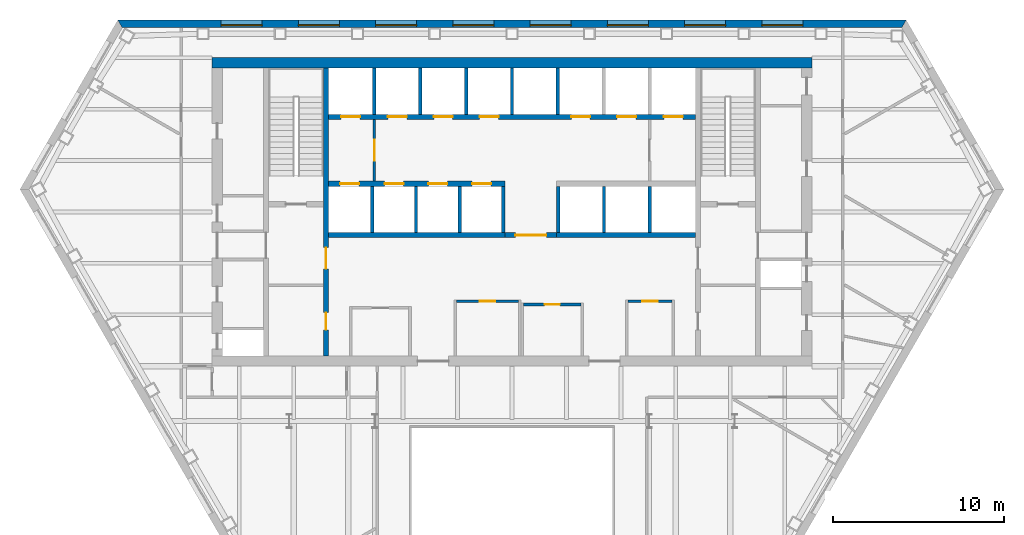
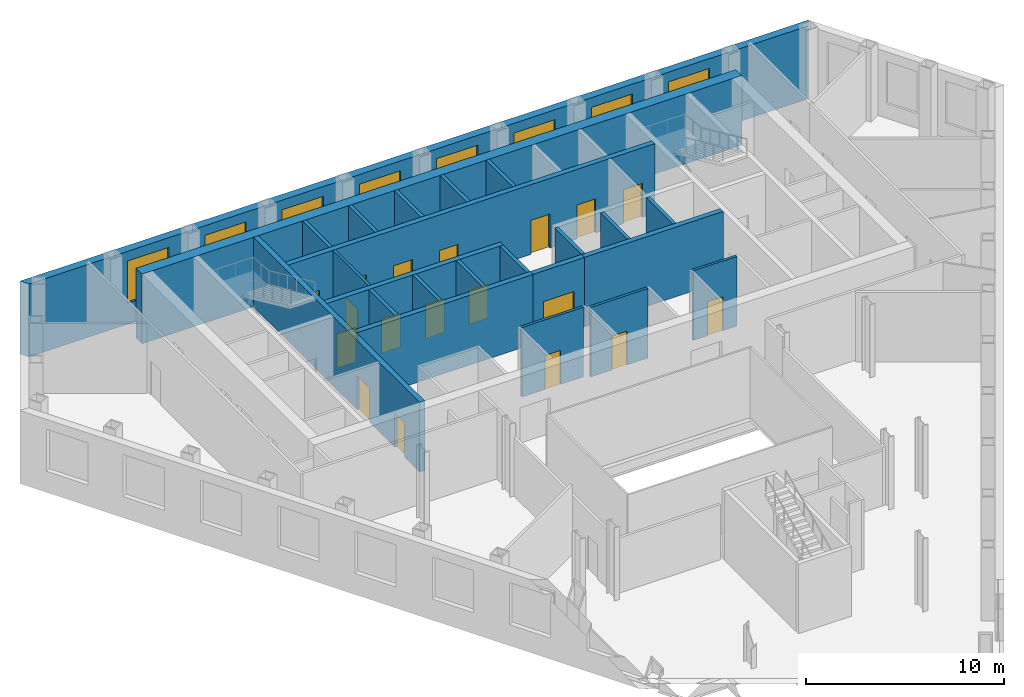
# One storey, part 6 of 10: 24 walls, 18 doors, 8 windows, 26 openings.
"""IFC4 building model written with IfcOpenShell, lengths in metres."""

import ifcopenshell
import ifcopenshell.guid

model = None  # the IFC model being written
_history = None  # IfcOwnerHistory: only IFC2X3 demands one
_inside = {}  # id of a spatial element -> (the spatial element, [elements in it])
_under = {}  # id of a project, library or spatial element -> (it, [spatial elements below it])
_declared = {}  # id of a project -> (the project, [libraries it declares])
_typed = {}  # id of a type object -> (the type object, [elements of that type])
_made_of = {}  # id of a material, layer set ... -> (it, [elements and type objects made of it])


def new_model(schema):
    """Start an empty IFC model of exactly this schema.

    Asked for "IFC4X3", IfcOpenShell would pick the latest addendum, in which some entities
    have other attributes; the version numbers below select the first issue.
    IFC2X3 requires an IfcOwnerHistory on every rooted entity: one is made here for all.
    """
    global model, _history
    if schema == "IFC4X3":
        model = ifcopenshell.file(schema_version=(4, 3, 0, 0))
    else:
        model = ifcopenshell.file(schema=schema)
    _inside.clear()
    _under.clear()
    _declared.clear()
    _typed.clear()
    _made_of.clear()
    _history = None
    if model.schema == "IFC2X3":
        org = make("IfcOrganization", Name="unknown")
        user = make(
            "IfcPersonAndOrganization",
            ThePerson=make("IfcPerson", FamilyName="unknown"),
            TheOrganization=org,
        )
        app = make(
            "IfcApplication",
            ApplicationDeveloper=org,
            Version="unknown",
            ApplicationFullName="unknown",
            ApplicationIdentifier="unknown",
        )
        _history = make(
            "IfcOwnerHistory",
            OwningUser=user,
            OwningApplication=app,
            ChangeAction="ADDED",
            CreationDate=0,
        )
    return model


def make(cls, **values):
    """One entity of the class cls with the attributes given. An attribute that is None is left unset."""
    return model.create_entity(
        cls, **{name: value for name, value in values.items() if value is not None}
    )


def rooted(cls, **values):
    """An entity with a GlobalId (a new one), such as an element, a storey or a relation."""
    return make(cls, GlobalId=ifcopenshell.guid.new(), OwnerHistory=_history, **values)


def si_unit(unit_type, name, prefix=None):
    """IfcSIUnit, for example si_unit("LENGTHUNIT", "METRE", prefix="MILLI")."""
    return make("IfcSIUnit", UnitType=unit_type, Prefix=prefix, Name=name)


def assignment(units):
    """IfcUnitAssignment: the units of a project."""
    return None if units is None else make("IfcUnitAssignment", Units=units)


def point(xyz):
    """IfcCartesianPoint."""
    return None if xyz is None else make("IfcCartesianPoint", Coordinates=xyz)


def direction(xyz):
    """IfcDirection."""
    return None if xyz is None else make("IfcDirection", DirectionRatios=xyz)


def frame(location, z_axis=None, x_axis=None):
    """IfcAxis2Placement3D, a coordinate frame: its origin and axes. An axis left out is left unset."""
    return make(
        "IfcAxis2Placement3D",
        Location=point(location),
        Axis=direction(z_axis),
        RefDirection=direction(x_axis),
    )


def frame_2d(location, x_axis=None):
    """IfcAxis2Placement2D, a coordinate frame in the plane: its origin and x axis."""
    return make(
        "IfcAxis2Placement2D", Location=point(location), RefDirection=direction(x_axis)
    )


def origin():
    """The frame at (0, 0, 0) with its axes left unset."""
    return frame((0.0, 0.0, 0.0))


def place(relative_to, where):
    """IfcLocalPlacement: puts the frame where relative to a parent placement (None: the world)."""
    return make(
        "IfcLocalPlacement", PlacementRelTo=relative_to, RelativePlacement=where
    )


def context(
    kind, dimensions, precision=None, world=None, true_north=None, identifier=None
):
    """IfcGeometricRepresentationContext, for example the 3D "Model" context."""
    return make(
        "IfcGeometricRepresentationContext",
        ContextIdentifier=identifier,
        ContextType=kind,
        CoordinateSpaceDimension=dimensions,
        Precision=precision,
        WorldCoordinateSystem=world,
        TrueNorth=true_north,
    )


def subcontext(parent, identifier, kind, view, scale=None):
    """IfcGeometricRepresentationSubContext, for example "Body" below "Model"."""
    return make(
        "IfcGeometricRepresentationSubContext",
        ContextIdentifier=identifier,
        ContextType=kind,
        ParentContext=parent,
        TargetScale=scale,
        TargetView=view,
    )


def project(units=None, contexts=None):
    """IfcProject with its units and contexts."""
    return rooted(
        "IfcProject",
        Name="project",
        RepresentationContexts=contexts,
        UnitsInContext=assignment(units),
    )


def spatial(cls, under=None, at=None, **own):
    """A site, building, storey or space (cls), placed at a placement, below another one or the project."""
    s = rooted(cls, ObjectPlacement=at, **own)
    if under is not None:
        _under.setdefault(under.id(), (under, []))[1].append(s)
    return s


def polyline(points):
    """IfcPolyline through the points."""
    return make("IfcPolyline", Points=[point(p) for p in points])


def profile(cls, at=None, kind="AREA", **sizes):
    """A parametric profile (cls). Its sizes go by their IFC names, for example OverallWidth=200.0."""
    return make(cls, ProfileType=kind, Position=at, **sizes)


def rectangle(**sizes):
    """IfcRectangleProfileDef."""
    return profile("IfcRectangleProfileDef", **sizes)


def outline(outer, holes=None, kind="AREA"):
    """IfcArbitraryClosedProfileDef: a profile drawn as a closed curve; with holes, ...WithVoids."""
    if holes is None:
        return make("IfcArbitraryClosedProfileDef", ProfileType=kind, OuterCurve=outer)
    return make(
        "IfcArbitraryProfileDefWithVoids",
        ProfileType=kind,
        OuterCurve=outer,
        InnerCurves=holes,
    )


def extrude(swept, where, along, depth):
    """IfcExtrudedAreaSolid: the profile swept, set in the frame where, extruded along a direction by depth."""
    return make(
        "IfcExtrudedAreaSolid",
        SweptArea=swept,
        Position=where,
        ExtrudedDirection=direction(along),
        Depth=depth,
    )


def shape(context_of_items, identifier, shape_type, items):
    """IfcShapeRepresentation: the items that make up one representation, for example the "Body"."""
    return make(
        "IfcShapeRepresentation",
        ContextOfItems=context_of_items,
        RepresentationIdentifier=identifier,
        RepresentationType=shape_type,
        Items=items,
    )


def material(Name=None, Category=None):
    """IfcMaterial."""
    return make("IfcMaterial", Name=Name, Category=Category)


def layer(
    of_material, thickness, ventilated=None, Name=None, Category=None, Priority=None
):
    """IfcMaterialLayer: one layer of a wall or slab, of a material (None: an air gap)."""
    return make(
        "IfcMaterialLayer",
        Material=of_material,
        LayerThickness=thickness,
        IsVentilated=ventilated,
        Name=Name,
        Category=Category,
        Priority=Priority,
    )


def layer_set(layers, Name=None):
    """IfcMaterialLayerSet."""
    return make("IfcMaterialLayerSet", MaterialLayers=layers, LayerSetName=Name)


def made_of(thing, what):
    """Note that an element or type object is made of a material, layer set ...; save() writes the relation."""
    if what is not None:
        _made_of.setdefault(what.id(), (what, []))[1].append(thing)
    return thing


def type_object(cls, material=None, **own):
    """A type object (cls), such as IfcWallType, which elements share."""
    return made_of(rooted(cls, **own), material)


def element(
    cls,
    number,
    at=None,
    inside=None,
    cuts=None,
    type_object=None,
    material=None,
    context=None,
    identifier="Body",
    shape_type=None,
    held_by="IfcProductDefinitionShape",
    body=None,
    shapes=None,
    **own,
):
    """One element of the class cls, such as IfcWall. Its Tag is "e" and its number.

    at: its placement. inside: the storey or other place that contains it. cuts: it is an
    opening in that element (IfcRelVoidsElement). A single representation is given by context,
    identifier, shape_type and body (its items); several are given by shapes. held_by: the class
    of the entity that holds the representations. save() writes the other relations.
    """
    e = rooted(cls, Tag="e%d" % number, ObjectPlacement=at, **own)
    if body is not None:
        shapes = [shape(context, identifier, shape_type, body)]
    if shapes is not None:
        e.Representation = make(held_by, Representations=shapes)
    if inside is not None:
        _inside.setdefault(inside.id(), (inside, []))[1].append(e)
    if cuts is not None:
        rooted(
            "IfcRelVoidsElement", RelatingBuildingElement=cuts, RelatedOpeningElement=e
        )
    if type_object is not None:
        _typed.setdefault(type_object.id(), (type_object, []))[1].append(e)
    return made_of(e, material)


def fill(opening, filler):
    """IfcRelFillsElement: the door or window that sits in an opening."""
    return rooted(
        "IfcRelFillsElement",
        RelatingOpeningElement=opening,
        RelatedBuildingElement=filler,
    )


def aggregate(whole, parts):
    """IfcRelAggregates: a whole, such as a stair, and the parts it consists of."""
    return rooted("IfcRelAggregates", RelatingObject=whole, RelatedObjects=parts)


def save(model, path):
    """Write the relations noted so far, then the file.

    IfcRelAggregates (storeys below a building ...), IfcRelContainedInSpatialStructure (elements
    in a storey), IfcRelDefinesByType, IfcRelAssociatesMaterial and IfcRelDeclares: one each for
    every whole, place, type object, material and project.
    """
    for whole, parts in _under.values():
        aggregate(whole, parts)
    for where, things in _inside.values():
        rooted(
            "IfcRelContainedInSpatialStructure",
            RelatedElements=things,
            RelatingStructure=where,
        )
    for kind, things in _typed.values():
        rooted("IfcRelDefinesByType", RelatedObjects=things, RelatingType=kind)
    for what, things in _made_of.values():
        rooted("IfcRelAssociatesMaterial", RelatedObjects=things, RelatingMaterial=what)
    for by, libraries in _declared.values():
        rooted("IfcRelDeclares", RelatingContext=by, RelatedDefinitions=libraries)
    model.write(path)


model = new_model("IFC4")

# Units and contexts
model_context = context("Model", 3, precision=1e-05, world=origin(), true_north=direction((0.0, 1.0)))
body_context = subcontext(model_context, "Body", "Model", "MODEL_VIEW")
ifc_project = project(units=[si_unit("LENGTHUNIT", "METRE"), si_unit("AREAUNIT", "SQUARE_METRE"), si_unit("VOLUMEUNIT", "CUBIC_METRE"), si_unit("PLANEANGLEUNIT", "RADIAN"), si_unit("MASSUNIT", "GRAM", prefix="KILO")], contexts=[model_context])

# Site, building, storey
site_placement = place(None, origin())
site = spatial("IfcSite", under=ifc_project, at=site_placement, CompositionType="ELEMENT")
building_placement = place(site_placement, origin())
building = spatial("IfcBuilding", under=site, at=building_placement, Name="Njiva Tower", CompositionType="ELEMENT")
storey_placement = place(building_placement, frame((0.0, 0.0, 51.3)))
storey = spatial("IfcBuildingStorey", under=building, at=storey_placement, Name="L10", CompositionType="ELEMENT", Elevation=51.3)

# Wall, opening, door
ifc_material_1 = material(Name="Blockwork", Category="masonry")
ifc_layer_1 = layer(ifc_material_1, 0.15)
ifc_layer_set_1 = layer_set([ifc_layer_1], Name="Blockwork")
wall_type_1 = type_object("IfcWallType", Name="WT1 Compartment partition 150", PredefinedType="PARTITIONING", material=ifc_layer_set_1)
wall_1_placement = place(storey_placement, frame((-3.225, 3.8, 0.0), z_axis=(0.0, 0.0, 1.0), x_axis=(1.0, 0.0, 0.0)))
wall_1 = element("IfcWall", 1, at=wall_1_placement, inside=storey, type_object=wall_type_1, Name="First aid room wall north", PredefinedType="PARTITIONING", context=body_context, shape_type="SweptSolid", body=[
    extrude(rectangle(XDim=3.6, YDim=0.15, at=frame_2d((1.8, 0.0))), origin(), (0.0, 0.0, 1.0), 4.3),
])
opening_1_placement = place(wall_1_placement, frame((1.35, 0.0, 0.0)))
opening_1 = element("IfcOpeningElement", 2, at=opening_1_placement, cuts=wall_1, Name="Opening S03-D933", PredefinedType="OPENING", context=body_context, shape_type="SweptSolid", body=[
    extrude(rectangle(XDim=0.9, YDim=2.1, at=frame_2d((0.45, 1.05))), frame((0.0, 0.085, 0.0), z_axis=(0.0, -1.0, 0.0), x_axis=(1.0, 0.0, 0.0)), (0.0, 0.0, 1.0), 0.17),
])
ifc_material_2 = material(Name="Steel fire door, painted", Category="steel")
door_type_1 = type_object("IfcDoorType", Name="D6 Fire-rated door 900x2100", OperationType="SINGLE_SWING_LEFT", PredefinedType="DOOR", material=ifc_material_2)
door_1_placement = place(opening_1_placement, origin())
door_1 = element("IfcDoor", 3, at=door_1_placement, inside=storey, type_object=door_type_1, Name="First aid room door", OperationType="SINGLE_SWING_LEFT", OverallHeight=2.1, OverallWidth=0.9, PredefinedType="DOOR", context=body_context, shape_type="SweptSolid", body=[
    extrude(rectangle(XDim=0.9, YDim=2.1, at=frame_2d((0.45, 1.05))), frame((0.0, 0.025, 0.0), z_axis=(0.0, -1.0, 0.0), x_axis=(1.0, 0.0, 0.0)), (0.0, 0.0, 1.0), 0.05),
])
fill(opening_1, door_1)

wall_2_placement = place(storey_placement, frame((0.675, 3.6, 0.0), z_axis=(0.0, 0.0, 1.0), x_axis=(1.0, 0.0, 0.0)))
wall_2 = element("IfcWall", 4, at=wall_2_placement, inside=storey, type_object=wall_type_1, Name="Parcel room wall north", PredefinedType="PARTITIONING", context=body_context, shape_type="SweptSolid", body=[
    extrude(rectangle(XDim=3.35, YDim=0.15, at=frame_2d((1.675, 0.0))), origin(), (0.0, 0.0, 1.0), 4.3),
])
opening_2_placement = place(wall_2_placement, frame((1.225, 0.0, 0.0)))
opening_2 = element("IfcOpeningElement", 5, at=opening_2_placement, cuts=wall_2, Name="Opening S03-D934", PredefinedType="OPENING", context=body_context, shape_type="SweptSolid", body=[
    extrude(rectangle(XDim=0.9, YDim=2.1, at=frame_2d((0.45, 1.05))), frame((0.0, 0.085, 0.0), z_axis=(0.0, -1.0, 0.0), x_axis=(1.0, 0.0, 0.0)), (0.0, 0.0, 1.0), 0.17),
])
door_2_placement = place(opening_2_placement, origin())
door_2 = element("IfcDoor", 6, at=door_2_placement, inside=storey, type_object=door_type_1, Name="Parcel room door", OperationType="SINGLE_SWING_LEFT", OverallHeight=2.1, OverallWidth=0.9, PredefinedType="DOOR", context=body_context, shape_type="SweptSolid", body=[
    extrude(rectangle(XDim=0.9, YDim=2.1, at=frame_2d((0.45, 1.05))), frame((0.0, 0.025, 0.0), z_axis=(0.0, -1.0, 0.0), x_axis=(1.0, 0.0, 0.0)), (0.0, 0.0, 1.0), 0.05),
])
fill(opening_2, door_2)

wall_3_placement = place(storey_placement, frame((6.775, 3.8, 0.0), z_axis=(0.0, 0.0, 1.0), x_axis=(1.0, 0.0, 0.0)))
wall_3 = element("IfcWall", 7, at=wall_3_placement, inside=storey, type_object=wall_type_1, Name="Security office wall north", PredefinedType="PARTITIONING", context=body_context, shape_type="SweptSolid", body=[
    extrude(rectangle(XDim=2.55, YDim=0.15, at=frame_2d((1.275, 0.0))), origin(), (0.0, 0.0, 1.0), 4.3),
])
opening_3_placement = place(wall_3_placement, frame((0.825, 0.0, 0.0)))
opening_3 = element("IfcOpeningElement", 8, at=opening_3_placement, cuts=wall_3, Name="Opening S03-D935", PredefinedType="OPENING", context=body_context, shape_type="SweptSolid", body=[
    extrude(rectangle(XDim=0.9, YDim=2.1, at=frame_2d((0.45, 1.05))), frame((0.0, 0.085, 0.0), z_axis=(0.0, -1.0, 0.0), x_axis=(1.0, 0.0, 0.0)), (0.0, 0.0, 1.0), 0.17),
])
door_3_placement = place(opening_3_placement, origin())
door_3 = element("IfcDoor", 9, at=door_3_placement, inside=storey, type_object=door_type_1, Name="Security office door", OperationType="SINGLE_SWING_RIGHT", OverallHeight=2.1, OverallWidth=0.9, PredefinedType="DOOR", context=body_context, shape_type="SweptSolid", body=[
    extrude(rectangle(XDim=0.9, YDim=2.1, at=frame_2d((0.45, 1.05))), frame((0.0, 0.025, 0.0), z_axis=(0.0, -1.0, 0.0), x_axis=(1.0, 0.0, 0.0)), (0.0, 0.0, 1.0), 0.05),
])
fill(opening_3, door_3)

# Wall, openings, doors
ifc_material_3 = material(Name="Concrete C40/50", Category="concrete")
ifc_layer_2 = layer(ifc_material_3, 0.3)
ifc_layer_set_2 = layer_set([ifc_layer_2], Name="Concrete C40/50")
wall_type_2 = type_object("IfcWallType", Name="WT10 Stair enclosure wall 300", PredefinedType="SHEAR", material=ifc_layer_set_2)
wall_4_placement = place(storey_placement, frame((-10.85, 0.6, 0.0), z_axis=(0.0, 0.0, 1.0), x_axis=(0.0, 1.0, 0.0)))
wall_4 = element("IfcWall", 10, at=wall_4_placement, inside=storey, type_object=wall_type_2, Name="Stair wall west inner", PredefinedType="SHEAR", context=body_context, shape_type="SweptSolid", body=[
    extrude(rectangle(XDim=16.8, YDim=0.3, at=frame_2d((8.4, 0.0))), origin(), (0.0, 0.0, 1.0), 4.3),
])
opening_4_placement = place(wall_4_placement, frame((5.075, 0.0, 0.0)))
opening_4 = element("IfcOpeningElement", 11, at=opening_4_placement, cuts=wall_4, Name="Opening S03-D914", PredefinedType="OPENING", context=body_context, shape_type="SweptSolid", body=[
    extrude(rectangle(XDim=1.25, YDim=2.1, at=frame_2d((0.625, 1.05))), frame((0.0, 0.16, 0.0), z_axis=(0.0, -1.0, 0.0), x_axis=(1.0, 0.0, 0.0)), (0.0, 0.0, 1.0), 0.32),
])
opening_5_placement = place(wall_4_placement, frame((1.525, 0.0, 0.0)))
opening_5 = element("IfcOpeningElement", 12, at=opening_5_placement, cuts=wall_4, Name="Opening S03-D915", PredefinedType="OPENING", context=body_context, shape_type="SweptSolid", body=[
    extrude(rectangle(XDim=1.0, YDim=2.1, at=frame_2d((0.5, 1.05))), frame((0.0, 0.16, 0.0), z_axis=(0.0, -1.0, 0.0), x_axis=(1.0, 0.0, 0.0)), (0.0, 0.0, 1.0), 0.32),
])
ifc_material_4 = material(Name="Steel door, painted", Category="steel")
door_type_2 = type_object("IfcDoorType", Name="D5 Steel door 1000x2100", OperationType="SINGLE_SWING_LEFT", PredefinedType="DOOR", material=ifc_material_4)
door_4_placement = place(opening_5_placement, origin())
door_4 = element("IfcDoor", 13, at=door_4_placement, inside=storey, type_object=door_type_2, Name="First aid room door", OperationType="SINGLE_SWING_RIGHT", OverallHeight=2.1, OverallWidth=1.0, PredefinedType="DOOR", context=body_context, shape_type="SweptSolid", body=[
    extrude(rectangle(XDim=1.0, YDim=2.1, at=frame_2d((0.5, 1.05))), frame((0.0, 0.025, 0.0), z_axis=(0.0, -1.0, 0.0), x_axis=(1.0, 0.0, 0.0)), (0.0, 0.0, 1.0), 0.05),
])
fill(opening_5, door_4)
ifc_material_5 = material(Name="Glazed steel fire door", Category="steel")
door_type_3 = type_object("IfcDoorType", Name="D8 Vestibule corridor door 1250x2100 glazed", OperationType="SINGLE_SWING_LEFT", PredefinedType="DOOR", material=ifc_material_5)
door_5_placement = place(opening_4_placement, origin())
door_5 = element("IfcDoor", 14, at=door_5_placement, inside=storey, type_object=door_type_3, Name="Stair vestibule corridor door", OperationType="SINGLE_SWING_LEFT", OverallHeight=2.1, OverallWidth=1.25, PredefinedType="DOOR", context=body_context, shape_type="SweptSolid", body=[
    extrude(rectangle(XDim=1.25, YDim=2.1, at=frame_2d((0.625, 1.05))), frame((0.0, 0.025, 0.0), z_axis=(0.0, -1.0, 0.0), x_axis=(1.0, 0.0, 0.0)), (0.0, 0.0, 1.0), 0.05),
])
fill(opening_4, door_5)

# Wall
ifc_material_6 = material(Name="Concrete C60/75", Category="concrete")
ifc_layer_3 = layer(ifc_material_6, 0.6)
ifc_layer_set_3 = layer_set([ifc_layer_3], Name="Concrete C60/75")
wall_type_3 = type_object("IfcWallType", Name="WT15 Core wall 600", PredefinedType="SHEAR", material=ifc_layer_set_3)
wall_5_placement = place(storey_placement, frame((-17.5, 17.7, 0.0), z_axis=(0.0, 0.0, 1.0), x_axis=(1.0, 0.0, 0.0)))
element("IfcWall", 15, at=wall_5_placement, inside=storey, type_object=wall_type_3, Name="Core wall north", PredefinedType="SHEAR", context=body_context, shape_type="SweptSolid", body=[
    extrude(rectangle(XDim=35.0, YDim=0.6, at=frame_2d((17.5, 0.0))), origin(), (0.0, 0.0, 1.0), 4.3),
])

# Wall, opening, door
ifc_layer_4 = layer(ifc_material_1, 0.15)
ifc_layer_set_4 = layer_set([ifc_layer_4], Name="Blockwork")
wall_type_4 = type_object("IfcWallType", Name="WT2 Lobby partition 150", PredefinedType="PARTITIONING", material=ifc_layer_set_4)
wall_6_placement = place(storey_placement, frame((-8.025, 10.8, 0.0), z_axis=(0.0, 0.0, 1.0), x_axis=(0.0, 1.0, 0.0)))
wall_6 = element("IfcWall", 16, at=wall_6_placement, inside=storey, type_object=wall_type_4, Name="Firefighting lobby wall A", PredefinedType="PARTITIONING", context=body_context, shape_type="SweptSolid", body=[
    extrude(rectangle(XDim=3.6, YDim=0.15, at=frame_2d((1.8, 0.0))), origin(), (0.0, 0.0, 1.0), 4.3),
])
opening_6_placement = place(wall_6_placement, frame((1.175, 0.0, 0.0)))
opening_6 = element("IfcOpeningElement", 17, at=opening_6_placement, cuts=wall_6, Name="Opening S03-D912", PredefinedType="OPENING", context=body_context, shape_type="SweptSolid", body=[
    extrude(rectangle(XDim=1.25, YDim=2.1, at=frame_2d((0.625, 1.05))), frame((0.0, 0.085, 0.0), z_axis=(0.0, -1.0, 0.0), x_axis=(1.0, 0.0, 0.0)), (0.0, 0.0, 1.0), 0.17),
])
door_6_placement = place(opening_6_placement, origin())
door_6 = element("IfcDoor", 18, at=door_6_placement, inside=storey, type_object=door_type_3, Name="Stair vestibule corridor door", OperationType="SINGLE_SWING_RIGHT", OverallHeight=2.1, OverallWidth=1.25, PredefinedType="DOOR", context=body_context, shape_type="SweptSolid", body=[
    extrude(rectangle(XDim=1.25, YDim=2.1, at=frame_2d((0.625, 1.05))), frame((0.0, 0.025, 0.0), z_axis=(0.0, -1.0, 0.0), x_axis=(1.0, 0.0, 0.0)), (0.0, 0.0, 1.0), 0.05),
])
fill(opening_6, door_6)

ifc_layer_5 = layer(ifc_material_1, 0.3)
ifc_layer_set_5 = layer_set([ifc_layer_5], Name="Blockwork")
wall_type_5 = type_object("IfcWallType", Name="WT5 Lobby partition 300", PredefinedType="PARTITIONING", material=ifc_layer_set_5)
wall_7_placement = place(storey_placement, frame((-0.4, 7.65, 0.0), z_axis=(0.0, 0.0, 1.0), x_axis=(1.0, 0.0, 0.0)))
wall_7 = element("IfcWall", 19, at=wall_7_placement, inside=storey, type_object=wall_type_5, Name="Lift lobby screen wall", PredefinedType="PARTITIONING", context=body_context, shape_type="SweptSolid", body=[
    extrude(rectangle(XDim=3.0, YDim=0.3, at=frame_2d((1.5, 0.0))), origin(), (0.0, 0.0, 1.0), 4.3),
])
opening_7_placement = place(wall_7_placement, frame((0.6, 0.0, 0.0)))
opening_7 = element("IfcOpeningElement", 20, at=opening_7_placement, cuts=wall_7, Name="Opening S03-D936", PredefinedType="OPENING", context=body_context, shape_type="SweptSolid", body=[
    extrude(rectangle(XDim=1.8, YDim=2.4, at=frame_2d((0.9, 1.2))), frame((0.0, 0.16, 0.0), z_axis=(0.0, -1.0, 0.0), x_axis=(1.0, 0.0, 0.0)), (0.0, 0.0, 1.0), 0.32),
])
ifc_material_7 = material(Name="Steel and glass door", Category="steel")
door_type_4 = type_object("IfcDoorType", Name="D3 Core entrance door 1800x2400", OperationType="DOUBLE_DOOR_SINGLE_SWING", PredefinedType="DOOR", material=ifc_material_7)
door_7_placement = place(opening_7_placement, origin())
door_7 = element("IfcDoor", 21, at=door_7_placement, inside=storey, type_object=door_type_4, Name="Core entrance door", OperationType="DOUBLE_DOOR_SINGLE_SWING", OverallHeight=2.4, OverallWidth=1.8, PredefinedType="DOOR", context=body_context, shape_type="SweptSolid", body=[
    extrude(rectangle(XDim=1.8, YDim=2.4, at=frame_2d((0.9, 1.2))), frame((0.0, 0.025, 0.0), z_axis=(0.0, -1.0, 0.0), x_axis=(1.0, 0.0, 0.0)), (0.0, 0.0, 1.0), 0.05),
])
fill(opening_7, door_7)

# Walls
ifc_layer_6 = layer(ifc_material_3, 0.2)
ifc_layer_set_6 = layer_set([ifc_layer_6], Name="Concrete C40/50")
wall_type_6 = type_object("IfcWallType", Name="WT6 Lift shaft wall 200", PredefinedType="SHEAR", material=ifc_layer_set_6)
for number, where, z_axis, x_axis, name in (
    (22, (-8.025, 14.7, 0.0), (0.0, 0.0, 1.0), (0.0, 1.0, 0.0), "Shaft wall CN1"),
    (23, (-5.35, 14.7, 0.0), (0.0, 0.0, 1.0), (0.0, 1.0, 0.0), "Shaft wall CN2"),
    (24, (-2.675, 14.7, 0.0), (0.0, 0.0, 1.0), (0.0, 1.0, 0.0), "Shaft wall CN3"),
    (25, (0.0, 14.7, 0.0), (0.0, 0.0, 1.0), (0.0, 1.0, 0.0), "Shaft wall CN4"),
    (26, (2.675, 14.7, 0.0), (0.0, 0.0, 1.0), (0.0, 1.0, 0.0), "Shaft wall CN5"),
    (27, (-8.15, 7.8, 0.0), (0.0, 0.0, 1.0), (0.0, 1.0, 0.0), "Shaft wall CS1"),
    (28, (-5.6, 7.8, 0.0), (0.0, 0.0, 1.0), (0.0, 1.0, 0.0), "Shaft wall CS2"),
    (29, (-3.05, 7.8, 0.0), (0.0, 0.0, 1.0), (0.0, 1.0, 0.0), "Shaft wall CS3"),
    (30, (-0.5, 7.8, 0.0), (0.0, 0.0, 1.0), (0.0, 1.0, 0.0), "Shaft wall CS4"),
    (31, (2.7, 7.8, 0.0), (0.0, 0.0, 1.0), (0.0, 1.0, 0.0), "Shaft wall CS5"),
    (32, (5.3667, 7.8, 0.0), (0.0, 0.0, 1.0), (0.0, 1.0, 0.0), "Shaft wall CS6"),
    (33, (8.0333, 7.8, 0.0), (0.0, 0.0, 1.0), (0.0, 1.0, 0.0), "Shaft wall CS7"),
):
    element("IfcWall", number, at=place(storey_placement, frame(where, z_axis=z_axis, x_axis=x_axis)), inside=storey, type_object=wall_type_6, Name=name, PredefinedType="SHEAR", context=body_context, shape_type="SweptSolid", body=[
        extrude(rectangle(XDim=2.7, YDim=0.2, at=frame_2d((1.35, 0.0))), origin(), (0.0, 0.0, 1.0), 4.3),
    ])

# Wall, openings, doors
ifc_layer_7 = layer(ifc_material_3, 0.3)
ifc_layer_set_7 = layer_set([ifc_layer_7], Name="Concrete C40/50")
wall_type_7 = type_object("IfcWallType", Name="WT7 Lift shaft wall 300", PredefinedType="SHEAR", material=ifc_layer_set_7)
wall_8_placement = place(storey_placement, frame((-10.7, 14.55, 0.0), z_axis=(0.0, 0.0, 1.0), x_axis=(1.0, 0.0, 0.0)))
wall_8 = element("IfcWall", 34, at=wall_8_placement, inside=storey, type_object=wall_type_7, Name="Shaft wall north row lobby side", PredefinedType="SHEAR", context=body_context, shape_type="SweptSolid", body=[
    extrude(rectangle(XDim=21.4, YDim=0.3, at=frame_2d((10.7, 0.0))), origin(), (0.0, 0.0, 1.0), 4.3),
])
opening_8_placement = place(wall_8_placement, frame((0.7375, 0.0, 0.0)))
opening_8 = element("IfcOpeningElement", 35, at=opening_8_placement, cuts=wall_8, Name="Opening S03-D901", PredefinedType="OPENING", context=body_context, shape_type="SweptSolid", body=[
    extrude(rectangle(XDim=1.1, YDim=2.1, at=frame_2d((0.55, 1.05))), frame((0.0, 0.16, 0.0), z_axis=(0.0, -1.0, 0.0), x_axis=(1.0, 0.0, 0.0)), (0.0, 0.0, 1.0), 0.32),
])
opening_9_placement = place(wall_8_placement, frame((3.4625, 0.0, 0.0)))
opening_9 = element("IfcOpeningElement", 36, at=opening_9_placement, cuts=wall_8, Name="Opening S03-D902", PredefinedType="OPENING", context=body_context, shape_type="SweptSolid", body=[
    extrude(rectangle(XDim=1.1, YDim=2.1, at=frame_2d((0.55, 1.05))), frame((0.0, 0.16, 0.0), z_axis=(0.0, -1.0, 0.0), x_axis=(1.0, 0.0, 0.0)), (0.0, 0.0, 1.0), 0.32),
])
opening_10_placement = place(wall_8_placement, frame((6.1375, 0.0, 0.0)))
opening_10 = element("IfcOpeningElement", 37, at=opening_10_placement, cuts=wall_8, Name="Opening S03-D903", PredefinedType="OPENING", context=body_context, shape_type="SweptSolid", body=[
    extrude(rectangle(XDim=1.1, YDim=2.1, at=frame_2d((0.55, 1.05))), frame((0.0, 0.16, 0.0), z_axis=(0.0, -1.0, 0.0), x_axis=(1.0, 0.0, 0.0)), (0.0, 0.0, 1.0), 0.32),
])
opening_11_placement = place(wall_8_placement, frame((8.8125, 0.0, 0.0)))
opening_11 = element("IfcOpeningElement", 38, at=opening_11_placement, cuts=wall_8, Name="Opening S03-D904", PredefinedType="OPENING", context=body_context, shape_type="SweptSolid", body=[
    extrude(rectangle(XDim=1.1, YDim=2.1, at=frame_2d((0.55, 1.05))), frame((0.0, 0.16, 0.0), z_axis=(0.0, -1.0, 0.0), x_axis=(1.0, 0.0, 0.0)), (0.0, 0.0, 1.0), 0.32),
])
opening_12_placement = place(wall_8_placement, frame((14.1625, 0.0, 0.0)))
opening_12 = element("IfcOpeningElement", 39, at=opening_12_placement, cuts=wall_8, Name="Opening S03-D905", PredefinedType="OPENING", context=body_context, shape_type="SweptSolid", body=[
    extrude(rectangle(XDim=1.1, YDim=2.1, at=frame_2d((0.55, 1.05))), frame((0.0, 0.16, 0.0), z_axis=(0.0, -1.0, 0.0), x_axis=(1.0, 0.0, 0.0)), (0.0, 0.0, 1.0), 0.32),
])
opening_13_placement = place(wall_8_placement, frame((16.8375, 0.0, 0.0)))
opening_13 = element("IfcOpeningElement", 40, at=opening_13_placement, cuts=wall_8, Name="Opening S03-D906", PredefinedType="OPENING", context=body_context, shape_type="SweptSolid", body=[
    extrude(rectangle(XDim=1.1, YDim=2.1, at=frame_2d((0.55, 1.05))), frame((0.0, 0.16, 0.0), z_axis=(0.0, -1.0, 0.0), x_axis=(1.0, 0.0, 0.0)), (0.0, 0.0, 1.0), 0.32),
])
opening_14_placement = place(wall_8_placement, frame((19.5625, 0.0, 0.0)))
opening_14 = element("IfcOpeningElement", 41, at=opening_14_placement, cuts=wall_8, Name="Opening S03-D907", PredefinedType="OPENING", context=body_context, shape_type="SweptSolid", body=[
    extrude(rectangle(XDim=1.1, YDim=2.1, at=frame_2d((0.55, 1.05))), frame((0.0, 0.16, 0.0), z_axis=(0.0, -1.0, 0.0), x_axis=(1.0, 0.0, 0.0)), (0.0, 0.0, 1.0), 0.32),
])
ifc_material_8 = material(Name="Stainless steel sliding door", Category="steel")
door_type_5 = type_object("IfcDoorType", Name="LD Lift landing door 1100x2100", OperationType="SLIDING_TO_LEFT", PredefinedType="DOOR", material=ifc_material_8)
door_8_placement = place(opening_8_placement, origin())
door_8 = element("IfcDoor", 42, at=door_8_placement, inside=storey, type_object=door_type_5, Name="Lift landing door FF1", OperationType="SLIDING_TO_LEFT", OverallHeight=2.1, OverallWidth=1.1, PredefinedType="DOOR", context=body_context, shape_type="SweptSolid", body=[
    extrude(rectangle(XDim=1.1, YDim=2.1, at=frame_2d((0.55, 1.05))), frame((0.0, 0.025, 0.0), z_axis=(0.0, -1.0, 0.0), x_axis=(1.0, 0.0, 0.0)), (0.0, 0.0, 1.0), 0.05),
])
fill(opening_8, door_8)
door_9_placement = place(opening_9_placement, origin())
door_9 = element("IfcDoor", 43, at=door_9_placement, inside=storey, type_object=door_type_5, Name="Lift landing door LB1", OperationType="SLIDING_TO_LEFT", OverallHeight=2.1, OverallWidth=1.1, PredefinedType="DOOR", context=body_context, shape_type="SweptSolid", body=[
    extrude(rectangle(XDim=1.1, YDim=2.1, at=frame_2d((0.55, 1.05))), frame((0.0, 0.025, 0.0), z_axis=(0.0, -1.0, 0.0), x_axis=(1.0, 0.0, 0.0)), (0.0, 0.0, 1.0), 0.05),
])
fill(opening_9, door_9)
door_10_placement = place(opening_10_placement, origin())
door_10 = element("IfcDoor", 44, at=door_10_placement, inside=storey, type_object=door_type_5, Name="Lift landing door LB2", OperationType="SLIDING_TO_LEFT", OverallHeight=2.1, OverallWidth=1.1, PredefinedType="DOOR", context=body_context, shape_type="SweptSolid", body=[
    extrude(rectangle(XDim=1.1, YDim=2.1, at=frame_2d((0.55, 1.05))), frame((0.0, 0.025, 0.0), z_axis=(0.0, -1.0, 0.0), x_axis=(1.0, 0.0, 0.0)), (0.0, 0.0, 1.0), 0.05),
])
fill(opening_10, door_10)
door_11_placement = place(opening_11_placement, origin())
door_11 = element("IfcDoor", 45, at=door_11_placement, inside=storey, type_object=door_type_5, Name="Lift landing door LB3", OperationType="SLIDING_TO_LEFT", OverallHeight=2.1, OverallWidth=1.1, PredefinedType="DOOR", context=body_context, shape_type="SweptSolid", body=[
    extrude(rectangle(XDim=1.1, YDim=2.1, at=frame_2d((0.55, 1.05))), frame((0.0, 0.025, 0.0), z_axis=(0.0, -1.0, 0.0), x_axis=(1.0, 0.0, 0.0)), (0.0, 0.0, 1.0), 0.05),
])
fill(opening_11, door_11)
door_12_placement = place(opening_12_placement, origin())
door_12 = element("IfcDoor", 46, at=door_12_placement, inside=storey, type_object=door_type_5, Name="Lift landing door FR1", OperationType="SLIDING_TO_LEFT", OverallHeight=2.1, OverallWidth=1.1, PredefinedType="DOOR", context=body_context, shape_type="SweptSolid", body=[
    extrude(rectangle(XDim=1.1, YDim=2.1, at=frame_2d((0.55, 1.05))), frame((0.0, 0.025, 0.0), z_axis=(0.0, -1.0, 0.0), x_axis=(1.0, 0.0, 0.0)), (0.0, 0.0, 1.0), 0.05),
])
fill(opening_12, door_12)
door_13_placement = place(opening_13_placement, origin())
door_13 = element("IfcDoor", 47, at=door_13_placement, inside=storey, type_object=door_type_5, Name="Lift landing door FR2", OperationType="SLIDING_TO_LEFT", OverallHeight=2.1, OverallWidth=1.1, PredefinedType="DOOR", context=body_context, shape_type="SweptSolid", body=[
    extrude(rectangle(XDim=1.1, YDim=2.1, at=frame_2d((0.55, 1.05))), frame((0.0, 0.025, 0.0), z_axis=(0.0, -1.0, 0.0), x_axis=(1.0, 0.0, 0.0)), (0.0, 0.0, 1.0), 0.05),
])
fill(opening_13, door_13)
door_14_placement = place(opening_14_placement, origin())
door_14 = element("IfcDoor", 48, at=door_14_placement, inside=storey, type_object=door_type_5, Name="Lift landing door FF2", OperationType="SLIDING_TO_LEFT", OverallHeight=2.1, OverallWidth=1.1, PredefinedType="DOOR", context=body_context, shape_type="SweptSolid", body=[
    extrude(rectangle(XDim=1.1, YDim=2.1, at=frame_2d((0.55, 1.05))), frame((0.0, 0.025, 0.0), z_axis=(0.0, -1.0, 0.0), x_axis=(1.0, 0.0, 0.0)), (0.0, 0.0, 1.0), 0.05),
])
fill(opening_14, door_14)

wall_9_placement = place(storey_placement, frame((-10.7, 10.65, 0.0), z_axis=(0.0, 0.0, 1.0), x_axis=(1.0, 0.0, 0.0)))
wall_9 = element("IfcWall", 49, at=wall_9_placement, inside=storey, type_object=wall_type_7, Name="Shaft wall south row lobby side W", PredefinedType="SHEAR", context=body_context, shape_type="SweptSolid", body=[
    extrude(rectangle(XDim=10.3, YDim=0.3, at=frame_2d((5.15, 0.0))), origin(), (0.0, 0.0, 1.0), 4.3),
])
opening_15_placement = place(wall_9_placement, frame((0.675, 0.0, 0.0)))
opening_15 = element("IfcOpeningElement", 50, at=opening_15_placement, cuts=wall_9, Name="Opening S03-D908", PredefinedType="OPENING", context=body_context, shape_type="SweptSolid", body=[
    extrude(rectangle(XDim=1.1, YDim=2.1, at=frame_2d((0.55, 1.05))), frame((0.0, 0.16, 0.0), z_axis=(0.0, -1.0, 0.0), x_axis=(1.0, 0.0, 0.0)), (0.0, 0.0, 1.0), 0.32),
])
opening_16_placement = place(wall_9_placement, frame((3.275, 0.0, 0.0)))
opening_16 = element("IfcOpeningElement", 51, at=opening_16_placement, cuts=wall_9, Name="Opening S03-D909", PredefinedType="OPENING", context=body_context, shape_type="SweptSolid", body=[
    extrude(rectangle(XDim=1.1, YDim=2.1, at=frame_2d((0.55, 1.05))), frame((0.0, 0.16, 0.0), z_axis=(0.0, -1.0, 0.0), x_axis=(1.0, 0.0, 0.0)), (0.0, 0.0, 1.0), 0.32),
])
opening_17_placement = place(wall_9_placement, frame((5.825, 0.0, 0.0)))
opening_17 = element("IfcOpeningElement", 52, at=opening_17_placement, cuts=wall_9, Name="Opening S03-D910", PredefinedType="OPENING", context=body_context, shape_type="SweptSolid", body=[
    extrude(rectangle(XDim=1.1, YDim=2.1, at=frame_2d((0.55, 1.05))), frame((0.0, 0.16, 0.0), z_axis=(0.0, -1.0, 0.0), x_axis=(1.0, 0.0, 0.0)), (0.0, 0.0, 1.0), 0.32),
])
opening_18_placement = place(wall_9_placement, frame((8.375, 0.0, 0.0)))
opening_18 = element("IfcOpeningElement", 53, at=opening_18_placement, cuts=wall_9, Name="Opening S03-D911", PredefinedType="OPENING", context=body_context, shape_type="SweptSolid", body=[
    extrude(rectangle(XDim=1.1, YDim=2.1, at=frame_2d((0.55, 1.05))), frame((0.0, 0.16, 0.0), z_axis=(0.0, -1.0, 0.0), x_axis=(1.0, 0.0, 0.0)), (0.0, 0.0, 1.0), 0.32),
])
door_15_placement = place(opening_15_placement, origin())
door_15 = element("IfcDoor", 54, at=door_15_placement, inside=storey, type_object=door_type_5, Name="Lift landing door LB4", OperationType="SLIDING_TO_LEFT", OverallHeight=2.1, OverallWidth=1.1, PredefinedType="DOOR", context=body_context, shape_type="SweptSolid", body=[
    extrude(rectangle(XDim=1.1, YDim=2.1, at=frame_2d((0.55, 1.05))), frame((0.0, 0.025, 0.0), z_axis=(0.0, -1.0, 0.0), x_axis=(1.0, 0.0, 0.0)), (0.0, 0.0, 1.0), 0.05),
])
fill(opening_15, door_15)
door_16_placement = place(opening_16_placement, origin())
door_16 = element("IfcDoor", 55, at=door_16_placement, inside=storey, type_object=door_type_5, Name="Lift landing door LB5", OperationType="SLIDING_TO_LEFT", OverallHeight=2.1, OverallWidth=1.1, PredefinedType="DOOR", context=body_context, shape_type="SweptSolid", body=[
    extrude(rectangle(XDim=1.1, YDim=2.1, at=frame_2d((0.55, 1.05))), frame((0.0, 0.025, 0.0), z_axis=(0.0, -1.0, 0.0), x_axis=(1.0, 0.0, 0.0)), (0.0, 0.0, 1.0), 0.05),
])
fill(opening_16, door_16)
door_17_placement = place(opening_17_placement, origin())
door_17 = element("IfcDoor", 56, at=door_17_placement, inside=storey, type_object=door_type_5, Name="Lift landing door LB6", OperationType="SLIDING_TO_LEFT", OverallHeight=2.1, OverallWidth=1.1, PredefinedType="DOOR", context=body_context, shape_type="SweptSolid", body=[
    extrude(rectangle(XDim=1.1, YDim=2.1, at=frame_2d((0.55, 1.05))), frame((0.0, 0.025, 0.0), z_axis=(0.0, -1.0, 0.0), x_axis=(1.0, 0.0, 0.0)), (0.0, 0.0, 1.0), 0.05),
])
fill(opening_17, door_17)
door_18_placement = place(opening_18_placement, origin())
door_18 = element("IfcDoor", 57, at=door_18_placement, inside=storey, type_object=door_type_5, Name="Lift landing door LB7", OperationType="SLIDING_TO_LEFT", OverallHeight=2.1, OverallWidth=1.1, PredefinedType="DOOR", context=body_context, shape_type="SweptSolid", body=[
    extrude(rectangle(XDim=1.1, YDim=2.1, at=frame_2d((0.55, 1.05))), frame((0.0, 0.025, 0.0), z_axis=(0.0, -1.0, 0.0), x_axis=(1.0, 0.0, 0.0)), (0.0, 0.0, 1.0), 0.05),
])
fill(opening_18, door_18)

# Walls
wall_10_placement = place(storey_placement, frame((-10.7, 7.65, 0.0), z_axis=(0.0, 0.0, 1.0), x_axis=(1.0, 0.0, 0.0)))
element("IfcWall", 58, at=wall_10_placement, inside=storey, type_object=wall_type_7, Name="Shaft wall south row back W", PredefinedType="SHEAR", context=body_context, shape_type="SweptSolid", body=[
    extrude(rectangle(XDim=10.3, YDim=0.3, at=frame_2d((5.15, 0.0))), origin(), (0.0, 0.0, 1.0), 4.3),
])
wall_11_placement = place(storey_placement, frame((2.6, 7.65, 0.0), z_axis=(0.0, 0.0, 1.0), x_axis=(1.0, 0.0, 0.0)))
element("IfcWall", 59, at=wall_11_placement, inside=storey, type_object=wall_type_7, Name="Shaft wall south row back E", PredefinedType="SHEAR", context=body_context, shape_type="SweptSolid", body=[
    extrude(rectangle(XDim=8.1, YDim=0.3, at=frame_2d((4.05, 0.0))), origin(), (0.0, 0.0, 1.0), 4.3),
])

# Wall, openings, windows
ifc_material_9 = material(Name="Brick masonry", Category="masonry")
ifc_layer_8 = layer(ifc_material_9, 0.45)
ifc_layer_set_8 = layer_set([ifc_layer_8], Name="Brick masonry")
wall_type_8 = type_object("IfcWallType", Name="WT90 Brick pier and spandrel wall 450", PredefinedType="SOLIDWALL", material=ifc_layer_set_8)
wall_12_placement = place(storey_placement, frame((22.8701, 19.975, -0.4), z_axis=(0.0, 0.0, 1.0), x_axis=(-1.0, 0.0, 0.0)))
wall_12 = element("IfcWall", 60, at=wall_12_placement, inside=storey, type_object=wall_type_8, Name="Facade wall N", PredefinedType="SOLIDWALL", context=body_context, shape_type="SweptSolid", body=[
    extrude(outline(polyline([(-0.1299, -0.225), (45.8701, -0.225), (45.6103, 0.225), (0.1299, 0.225), (-0.1299, -0.225)])), origin(), (0.0, 0.0, 1.0), 4.5),
])
opening_19_placement = place(wall_12_placement, frame((5.8934, 0.0, 1.3)))
opening_19 = element("IfcOpeningElement", 61, at=opening_19_placement, cuts=wall_12, Name="Opening S03-W01", PredefinedType="OPENING", context=body_context, shape_type="SweptSolid", body=[
    extrude(rectangle(XDim=2.4, YDim=2.6, at=frame_2d((1.2, 1.3))), frame((0.0, 0.235, 0.0), z_axis=(0.0, -1.0, 0.0), x_axis=(1.0, 0.0, 0.0)), (0.0, 0.0, 1.0), 0.47),
])
opening_20_placement = place(wall_12_placement, frame((10.401, 0.0, 1.3)))
opening_20 = element("IfcOpeningElement", 62, at=opening_20_placement, cuts=wall_12, Name="Opening S03-W02", PredefinedType="OPENING", context=body_context, shape_type="SweptSolid", body=[
    extrude(rectangle(XDim=2.4, YDim=2.6, at=frame_2d((1.2, 1.3))), frame((0.0, 0.235, 0.0), z_axis=(0.0, -1.0, 0.0), x_axis=(1.0, 0.0, 0.0)), (0.0, 0.0, 1.0), 0.47),
])
opening_21_placement = place(wall_12_placement, frame((14.9087, 0.0, 1.3)))
opening_21 = element("IfcOpeningElement", 63, at=opening_21_placement, cuts=wall_12, Name="Opening S03-W03", PredefinedType="OPENING", context=body_context, shape_type="SweptSolid", body=[
    extrude(rectangle(XDim=2.4, YDim=2.6, at=frame_2d((1.2, 1.3))), frame((0.0, 0.235, 0.0), z_axis=(0.0, -1.0, 0.0), x_axis=(1.0, 0.0, 0.0)), (0.0, 0.0, 1.0), 0.47),
])
opening_22_placement = place(wall_12_placement, frame((19.4163, 0.0, 1.3)))
opening_22 = element("IfcOpeningElement", 64, at=opening_22_placement, cuts=wall_12, Name="Opening S03-W04", PredefinedType="OPENING", context=body_context, shape_type="SweptSolid", body=[
    extrude(rectangle(XDim=2.4, YDim=2.6, at=frame_2d((1.2, 1.3))), frame((0.0, 0.235, 0.0), z_axis=(0.0, -1.0, 0.0), x_axis=(1.0, 0.0, 0.0)), (0.0, 0.0, 1.0), 0.47),
])
opening_23_placement = place(wall_12_placement, frame((23.9239, 0.0, 1.3)))
opening_23 = element("IfcOpeningElement", 65, at=opening_23_placement, cuts=wall_12, Name="Opening S03-W05", PredefinedType="OPENING", context=body_context, shape_type="SweptSolid", body=[
    extrude(rectangle(XDim=2.4, YDim=2.6, at=frame_2d((1.2, 1.3))), frame((0.0, 0.235, 0.0), z_axis=(0.0, -1.0, 0.0), x_axis=(1.0, 0.0, 0.0)), (0.0, 0.0, 1.0), 0.47),
])
opening_24_placement = place(wall_12_placement, frame((28.4315, 0.0, 1.3)))
opening_24 = element("IfcOpeningElement", 66, at=opening_24_placement, cuts=wall_12, Name="Opening S03-W06", PredefinedType="OPENING", context=body_context, shape_type="SweptSolid", body=[
    extrude(rectangle(XDim=2.4, YDim=2.6, at=frame_2d((1.2, 1.3))), frame((0.0, 0.235, 0.0), z_axis=(0.0, -1.0, 0.0), x_axis=(1.0, 0.0, 0.0)), (0.0, 0.0, 1.0), 0.47),
])
opening_25_placement = place(wall_12_placement, frame((32.9391, 0.0, 1.3)))
opening_25 = element("IfcOpeningElement", 67, at=opening_25_placement, cuts=wall_12, Name="Opening S03-W07", PredefinedType="OPENING", context=body_context, shape_type="SweptSolid", body=[
    extrude(rectangle(XDim=2.4, YDim=2.6, at=frame_2d((1.2, 1.3))), frame((0.0, 0.235, 0.0), z_axis=(0.0, -1.0, 0.0), x_axis=(1.0, 0.0, 0.0)), (0.0, 0.0, 1.0), 0.47),
])
opening_26_placement = place(wall_12_placement, frame((37.4468, 0.0, 1.3)))
opening_26 = element("IfcOpeningElement", 68, at=opening_26_placement, cuts=wall_12, Name="Opening S03-W08", PredefinedType="OPENING", context=body_context, shape_type="SweptSolid", body=[
    extrude(rectangle(XDim=2.4, YDim=2.6, at=frame_2d((1.2, 1.3))), frame((0.0, 0.235, 0.0), z_axis=(0.0, -1.0, 0.0), x_axis=(1.0, 0.0, 0.0)), (0.0, 0.0, 1.0), 0.47),
])
ifc_material_10 = material(Name="Clear glazing in aluminium frame", Category="aluminium")
window_type = type_object("IfcWindowType", Name="W92 Deep-set window 2400x2600", PartitioningType="SINGLE_PANEL", PredefinedType="WINDOW", material=ifc_material_10)
window_1_placement = place(opening_19_placement, origin())
window_1 = element("IfcWindow", 69, at=window_1_placement, inside=storey, type_object=window_type, Name="Window", OverallHeight=2.6, OverallWidth=2.4, PartitioningType="SINGLE_PANEL", PredefinedType="WINDOW", context=body_context, shape_type="SweptSolid", body=[
    extrude(rectangle(XDim=2.4, YDim=2.6, at=frame_2d((1.2, 1.3))), frame((0.0, 0.105, 0.0), z_axis=(0.0, -1.0, 0.0), x_axis=(1.0, 0.0, 0.0)), (0.0, 0.0, 1.0), 0.06),
])
fill(opening_19, window_1)
window_2_placement = place(opening_20_placement, origin())
window_2 = element("IfcWindow", 70, at=window_2_placement, inside=storey, type_object=window_type, Name="Window", OverallHeight=2.6, OverallWidth=2.4, PartitioningType="SINGLE_PANEL", PredefinedType="WINDOW", context=body_context, shape_type="SweptSolid", body=[
    extrude(rectangle(XDim=2.4, YDim=2.6, at=frame_2d((1.2, 1.3))), frame((0.0, 0.105, 0.0), z_axis=(0.0, -1.0, 0.0), x_axis=(1.0, 0.0, 0.0)), (0.0, 0.0, 1.0), 0.06),
])
fill(opening_20, window_2)
window_3_placement = place(opening_21_placement, origin())
window_3 = element("IfcWindow", 71, at=window_3_placement, inside=storey, type_object=window_type, Name="Window", OverallHeight=2.6, OverallWidth=2.4, PartitioningType="SINGLE_PANEL", PredefinedType="WINDOW", context=body_context, shape_type="SweptSolid", body=[
    extrude(rectangle(XDim=2.4, YDim=2.6, at=frame_2d((1.2, 1.3))), frame((0.0, 0.105, 0.0), z_axis=(0.0, -1.0, 0.0), x_axis=(1.0, 0.0, 0.0)), (0.0, 0.0, 1.0), 0.06),
])
fill(opening_21, window_3)
window_4_placement = place(opening_22_placement, origin())
window_4 = element("IfcWindow", 72, at=window_4_placement, inside=storey, type_object=window_type, Name="Window", OverallHeight=2.6, OverallWidth=2.4, PartitioningType="SINGLE_PANEL", PredefinedType="WINDOW", context=body_context, shape_type="SweptSolid", body=[
    extrude(rectangle(XDim=2.4, YDim=2.6, at=frame_2d((1.2, 1.3))), frame((0.0, 0.105, 0.0), z_axis=(0.0, -1.0, 0.0), x_axis=(1.0, 0.0, 0.0)), (0.0, 0.0, 1.0), 0.06),
])
fill(opening_22, window_4)
window_5_placement = place(opening_23_placement, origin())
window_5 = element("IfcWindow", 73, at=window_5_placement, inside=storey, type_object=window_type, Name="Window", OverallHeight=2.6, OverallWidth=2.4, PartitioningType="SINGLE_PANEL", PredefinedType="WINDOW", context=body_context, shape_type="SweptSolid", body=[
    extrude(rectangle(XDim=2.4, YDim=2.6, at=frame_2d((1.2, 1.3))), frame((0.0, 0.105, 0.0), z_axis=(0.0, -1.0, 0.0), x_axis=(1.0, 0.0, 0.0)), (0.0, 0.0, 1.0), 0.06),
])
fill(opening_23, window_5)
window_6_placement = place(opening_24_placement, origin())
window_6 = element("IfcWindow", 74, at=window_6_placement, inside=storey, type_object=window_type, Name="Window", OverallHeight=2.6, OverallWidth=2.4, PartitioningType="SINGLE_PANEL", PredefinedType="WINDOW", context=body_context, shape_type="SweptSolid", body=[
    extrude(rectangle(XDim=2.4, YDim=2.6, at=frame_2d((1.2, 1.3))), frame((0.0, 0.105, 0.0), z_axis=(0.0, -1.0, 0.0), x_axis=(1.0, 0.0, 0.0)), (0.0, 0.0, 1.0), 0.06),
])
fill(opening_24, window_6)
window_7_placement = place(opening_25_placement, origin())
window_7 = element("IfcWindow", 75, at=window_7_placement, inside=storey, type_object=window_type, Name="Window", OverallHeight=2.6, OverallWidth=2.4, PartitioningType="SINGLE_PANEL", PredefinedType="WINDOW", context=body_context, shape_type="SweptSolid", body=[
    extrude(rectangle(XDim=2.4, YDim=2.6, at=frame_2d((1.2, 1.3))), frame((0.0, 0.105, 0.0), z_axis=(0.0, -1.0, 0.0), x_axis=(1.0, 0.0, 0.0)), (0.0, 0.0, 1.0), 0.06),
])
fill(opening_25, window_7)
window_8_placement = place(opening_26_placement, origin())
window_8 = element("IfcWindow", 76, at=window_8_placement, inside=storey, type_object=window_type, Name="Window", OverallHeight=2.6, OverallWidth=2.4, PartitioningType="SINGLE_PANEL", PredefinedType="WINDOW", context=body_context, shape_type="SweptSolid", body=[
    extrude(rectangle(XDim=2.4, YDim=2.6, at=frame_2d((1.2, 1.3))), frame((0.0, 0.105, 0.0), z_axis=(0.0, -1.0, 0.0), x_axis=(1.0, 0.0, 0.0)), (0.0, 0.0, 1.0), 0.06),
])
fill(opening_26, window_8)

save(model, "model.ifc")
